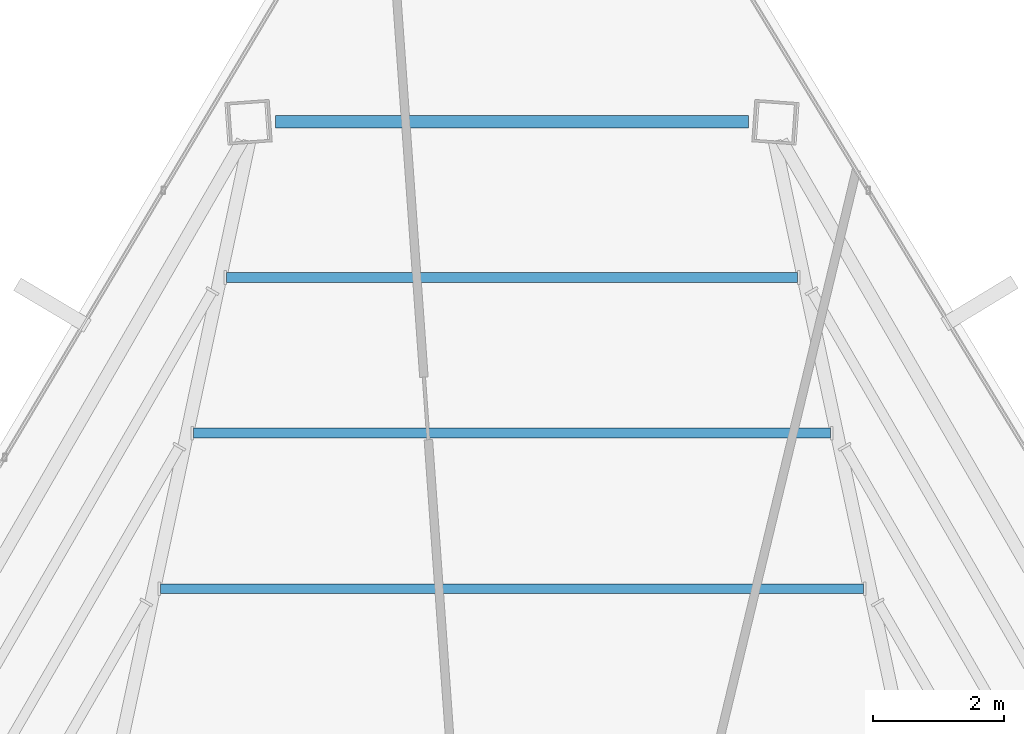
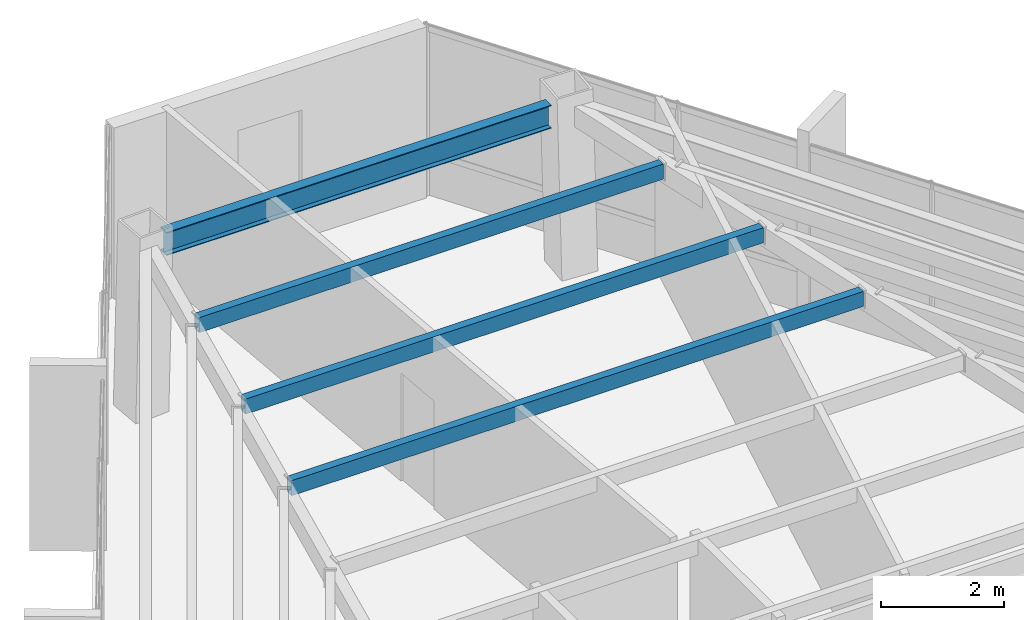
# One storey, part 34 of 47: 4 beams.
"""IFC4 building model written with IfcOpenShell, lengths in metres."""

from ifc_helpers import new_model, si_unit, direction, frame, origin, origin_2d, place, context, subcontext, project, spatial, hollow_rectangle, i_section, extrude, source, transform, mapped, material, material_profile, profile_set, type_object, type_shapes, element, save


model = new_model("IFC4")

# Units and contexts
model_context = context("Model", 3, precision=1e-05, world=origin(), true_north=direction((0.0, 1.0)))
body_context = subcontext(model_context, "Body", "Model", "MODEL_VIEW")
ifc_project = project(units=[si_unit("LENGTHUNIT", "METRE"), si_unit("AREAUNIT", "SQUARE_METRE"), si_unit("VOLUMEUNIT", "CUBIC_METRE"), si_unit("PLANEANGLEUNIT", "RADIAN"), si_unit("MASSUNIT", "GRAM", prefix="KILO")], contexts=[model_context])

# Site, building, storey
site_placement = place(None, origin())
site = spatial("IfcSite", under=ifc_project, at=site_placement, CompositionType="ELEMENT")
building_placement = place(site_placement, origin())
building = spatial("IfcBuilding", under=site, at=building_placement, Name="Caelisora Broadcast Tower", CompositionType="ELEMENT")
storey_placement = place(building_placement, frame((0.0, 0.0, 248.10009765625)))
storey = spatial("IfcBuildingStorey", under=building, at=storey_placement, Name="L65", CompositionType="ELEMENT", Elevation=248.10009765625)

# Beams
ifc_material_1 = material(Name="Steel Grade 350 (AS/NZS 3679.1)", Category="steel")
ifc_material_profile_1 = material_profile(ifc_material_1, i_section(OverallWidth=0.19091796875, OverallDepth=0.46044921875, WebThickness=0.010009765625, FlangeThickness=0.01611328125, at=origin_2d()), Name="Steel Grade 350 (AS/NZS 3679.1)")
ifc_profile_set_1 = profile_set([ifc_material_profile_1], Name="Steel Grade 350 (AS/NZS 3679.1)")
beam_type_1 = type_object("IfcBeamType", Name="PG06", PredefinedType="BEAM", material=ifc_profile_set_1)
shared_shape_1 = source(origin(), body_context, "Body", "SweptSolid", [
    extrude(i_section(OverallWidth=0.19091796875, OverallDepth=0.46044921875, WebThickness=0.010009765625, FlangeThickness=0.01611328125, at=origin_2d()), origin(), (0.0, 0.0, 1.0), 7.23828125),
])
type_shapes(beam_type_1, [shared_shape_1])
beam_1_placement = place(storey_placement, frame((41.619140625, 46.66650390625, 3.169677734375), z_axis=(-1.0, 0.0, 0.0), x_axis=(0.0, -1.0, 0.0)))
element("IfcBeam", 1, at=beam_1_placement, inside=storey, type_object=beam_type_1, Name="L65 beam PG06", PredefinedType="BEAM", context=body_context, shape_type="MappedRepresentation", body=[
    mapped(shared_shape_1, transform((0.0, 0.0, 0.0), scale=1.0)),
])
ifc_material_2 = material(Name="Steel Grade 350 (AS/NZS 1163 C350L0)", Category="steel")
ifc_material_profile_2 = material_profile(ifc_material_2, hollow_rectangle(XDim=0.14990234375, YDim=0.300048828125, WallThickness=0.010009765625, at=origin_2d()), Name="Steel Grade 350 (AS/NZS 1163 C350L0)")
ifc_profile_set_2 = profile_set([ifc_material_profile_2], Name="Steel Grade 350 (AS/NZS 1163 C350L0)")
beam_type_2 = type_object("IfcBeamType", Name="SB05", PredefinedType="JOIST", material=ifc_profile_set_2)
shared_shape_2 = source(origin(), body_context, "Body", "SweptSolid", [
    extrude(hollow_rectangle(XDim=0.14990234375, YDim=0.300048828125, WallThickness=0.010009765625, at=origin_2d()), origin(), (0.0, 0.0, 1.0), 10.75244140625),
])
beam_2_placement = place(storey_placement, frame((43.376220703125, 39.523681640625, 3.25), z_axis=(-1.0, 0.0, 0.0), x_axis=(0.0, -1.0, 0.0)))
element("IfcBeam", 2, at=beam_2_placement, inside=storey, type_object=beam_type_2, Name="L65 beam SB05", PredefinedType="JOIST", context=body_context, shape_type="MappedRepresentation", body=[
    mapped(shared_shape_2, transform((0.0, 0.0, 0.0), scale=1.0)),
])
shared_shape_3 = source(origin(), body_context, "Body", "SweptSolid", [
    extrude(hollow_rectangle(XDim=0.14990234375, YDim=0.300048828125, WallThickness=0.010009765625, at=origin_2d()), origin(), (0.0, 0.0, 1.0), 9.740234375),
])
beam_3_placement = place(storey_placement, frame((42.8701171875, 41.904541015625, 3.25), z_axis=(-1.0, 0.0, 0.0), x_axis=(0.0, -1.0, 0.0)))
element("IfcBeam", 3, at=beam_3_placement, inside=storey, type_object=beam_type_2, Name="L65 beam SB05", PredefinedType="JOIST", context=body_context, shape_type="MappedRepresentation", body=[
    mapped(shared_shape_3, transform((0.0, 0.0, 0.0), scale=1.0)),
])
shared_shape_4 = source(origin(), body_context, "Body", "SweptSolid", [
    extrude(hollow_rectangle(XDim=0.14990234375, YDim=0.300048828125, WallThickness=0.010009765625, at=origin_2d()), origin(), (0.0, 0.0, 1.0), 8.72802734375),
])
type_shapes(beam_type_2, [shared_shape_2, shared_shape_3, shared_shape_4])
beam_4_placement = place(storey_placement, frame((42.364013671875, 44.28564453125, 3.25), z_axis=(-1.0, 0.0, 0.0), x_axis=(0.0, -1.0, 0.0)))
element("IfcBeam", 4, at=beam_4_placement, inside=storey, type_object=beam_type_2, Name="L65 beam SB05", PredefinedType="JOIST", context=body_context, shape_type="MappedRepresentation", body=[
    mapped(shared_shape_4, transform((0.0, 0.0, 0.0), scale=1.0)),
])

save(model, "model.ifc")
